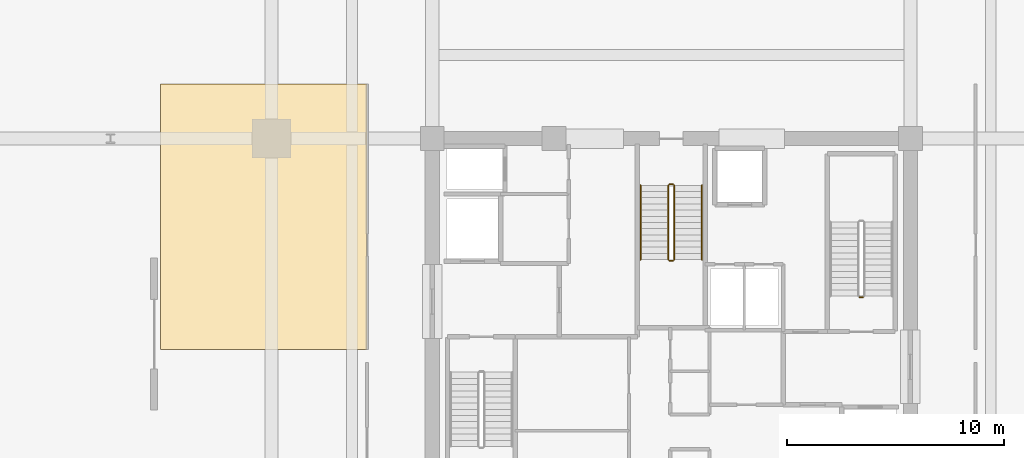
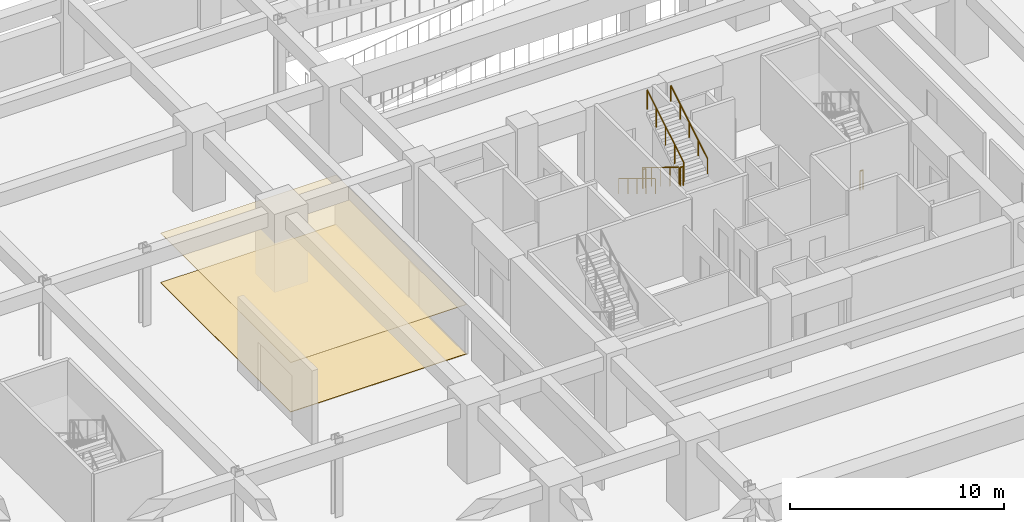
# One storey, part 13 of 16: 7 railings, 2 coverings.
"""IFC4 building model written with IfcOpenShell, lengths in metres."""

from ifc_helpers import new_model, si_unit, direction, frame, origin, origin_2d, place, context, subcontext, project, spatial, polyline, circle, outline, extrude, material, layer, layer_set, type_object, element, save


model = new_model("IFC4")

# Units and contexts
model_context = context("Model", 3, precision=1e-05, world=origin(), true_north=direction((0.0, 1.0)))
body_context = subcontext(model_context, "Body", "Model", "MODEL_VIEW")
ifc_project = project(units=[si_unit("LENGTHUNIT", "METRE"), si_unit("AREAUNIT", "SQUARE_METRE"), si_unit("VOLUMEUNIT", "CUBIC_METRE"), si_unit("PLANEANGLEUNIT", "RADIAN"), si_unit("MASSUNIT", "GRAM", prefix="KILO")], contexts=[model_context])

# Site, building, storey
site_placement = place(None, origin())
site = spatial("IfcSite", under=ifc_project, at=site_placement, CompositionType="ELEMENT")
building_placement = place(site_placement, origin())
building = spatial("IfcBuilding", under=site, at=building_placement, Name="Kovane Verandah Tower", CompositionType="ELEMENT")
storey_placement = place(building_placement, frame((0.0, 0.0, -4.5)))
storey = spatial("IfcBuildingStorey", under=building, at=storey_placement, Name="B1", CompositionType="ELEMENT", Elevation=-4.5)

# Coverings
ifc_material_1 = material(Name="Perforated Acoustic Mineral-Fibre Ceiling Tile", Category="gypsum")
ifc_layer_1 = layer(ifc_material_1, 0.02490234375)
ifc_layer_set_1 = layer_set([ifc_layer_1], Name="Perforated Acoustic Mineral-Fibre Ceiling Tile")
covering_type_1 = type_object("IfcCoveringType", Name="CV-CEIL-25", PredefinedType="CEILING", material=ifc_layer_set_1)
covering_1_placement = place(storey_placement, frame((0.0, 0.0, 2.824951171875)))
element("IfcCovering", 1, at=covering_1_placement, inside=storey, type_object=covering_type_1, Name="B1 Bicycle Parking and End-of-Trip Hub Acoustic Ceiling", PredefinedType="CEILING", context=body_context, shape_type="SweptSolid", body=[
    extrude(outline(polyline([(16.5, 26.800048828125), (26.0, 26.800048828125), (26.0, 39.0), (16.5, 39.0), (16.5, 26.800048828125)])), origin(), (0.0, 0.0, 1.0), 0.025146484375),
])
ifc_material_2 = material(Name="Polished Terrazzo and Raised-Access Carpet Tile Finish", Category="concrete")
ifc_layer_2 = layer(ifc_material_2, 0.030029296875)
ifc_layer_set_2 = layer_set([ifc_layer_2], Name="Polished Terrazzo and Raised-Access Carpet Tile Finish")
covering_type_2 = type_object("IfcCoveringType", Name="CV-FLOR-30", PredefinedType="FLOORING", material=ifc_layer_set_2)
covering_2_placement = place(storey_placement, origin())
element("IfcCovering", 2, at=covering_2_placement, inside=storey, type_object=covering_type_2, Name="B1 Bicycle Parking and End-of-Trip Hub Floor Finish", PredefinedType="FLOORING", context=body_context, shape_type="SweptSolid", body=[
    extrude(outline(polyline([(16.5, 26.800048828125), (26.0, 26.800048828125), (26.0, 39.0), (16.5, 39.0), (16.5, 26.800048828125)])), origin(), (0.0, 0.0, 1.0), 0.030029296875),
])

# Railings
ifc_material_3 = material(Name="Brushed Stainless Steel Handrail", Category="steel")
railing_type_1 = type_object("IfcRailingType", Name="RL-HAND-920", PredefinedType="HANDRAIL", material=ifc_material_3)
railing_1_placement = place(storey_placement, frame((38.590087890625, 34.35009765625, 0.173095703125)))
element("IfcRailing", 3, at=railing_1_placement, inside=storey, type_object=railing_type_1, Name="B1 ST-03 stair handrail 1", PredefinedType="HANDRAIL", context=body_context, shape_type="SweptSolid", body=[
    extrude(circle(Radius=0.02392578125, at=origin_2d()), frame((0.0, 0.0, 0.8759765625), z_axis=(0.0, -0.854745945586, 0.519046595696), x_axis=(1.0, 0.0, 0.0)), (0.0, 0.0, 1.0), 4.00146484375),
    extrude(circle(Radius=0.02099609375, at=origin_2d()), origin(), (0.0, 0.0, 1.0), 0.851806640625),
    extrude(circle(Radius=0.02099609375, at=origin_2d()), frame((0.0, -0.85498046875, 0.519287109375)), (0.0, 0.0, 1.0), 0.851806640625),
    extrude(circle(Radius=0.02099609375, at=origin_2d()), frame((0.0, -1.7099609375, 1.03857421875)), (0.0, 0.0, 1.0), 0.851806640625),
    extrude(circle(Radius=0.02099609375, at=origin_2d()), frame((0.0, -2.565185546875, 1.5576171875)), (0.0, 0.0, 1.0), 0.851806640625),
    extrude(circle(Radius=0.02099609375, at=origin_2d()), frame((0.0, -3.420166015625, 2.076904296875)), (0.0, 0.0, 1.0), 0.851806640625),
])
railing_2_placement = place(storey_placement, frame((41.409912109375, 30.929931640625, 2.423095703125)))
element("IfcRailing", 4, at=railing_2_placement, inside=storey, type_object=railing_type_1, Name="B1 ST-03 stair handrail 2", PredefinedType="HANDRAIL", context=body_context, shape_type="SweptSolid", body=[
    extrude(circle(Radius=0.02392578125, at=origin_2d()), frame((0.0, 0.0, 0.8759765625), z_axis=(0.0, 0.854745945586, 0.519046595696), x_axis=(-1.0, 0.0, 0.0)), (0.0, 0.0, 1.0), 4.00146484375),
    extrude(circle(Radius=0.02099609375, at=origin_2d()), origin(), (0.0, 0.0, 1.0), 0.851806640625),
    extrude(circle(Radius=0.02099609375, at=origin_2d()), frame((0.0, 0.85498046875, 0.519287109375)), (0.0, 0.0, 1.0), 0.851806640625),
    extrude(circle(Radius=0.02099609375, at=origin_2d()), frame((0.0, 1.7099609375, 1.03857421875)), (0.0, 0.0, 1.0), 0.851806640625),
    extrude(circle(Radius=0.02099609375, at=origin_2d()), frame((0.0, 2.565185546875, 1.5576171875)), (0.0, 0.0, 1.0), 0.851806640625),
    extrude(circle(Radius=0.02099609375, at=origin_2d()), frame((0.0, 3.420166015625, 2.076904296875)), (0.0, 0.0, 1.0), 0.851806640625),
])
ifc_material_4 = material(Name="Painted Steel Stairwell Guardrail", Category="steel")
railing_type_2 = type_object("IfcRailingType", Name="RL-STGUARD-1120", PredefinedType="GUARDRAIL", material=ifc_material_4)
railing_3_placement = place(storey_placement, frame((48.820068359375, 29.199951171875, 0.0)))
element("IfcRailing", 5, at=railing_3_placement, inside=storey, type_object=railing_type_2, Name="B1 ST-02 stair guard 4", PredefinedType="GUARDRAIL", context=body_context, shape_type="SweptSolid", body=[
    extrude(circle(Radius=0.02392578125, at=origin_2d()), frame((0.0, 0.0, 1.076171875), z_axis=(-1.0, 0.0, 0.0), x_axis=(0.0, -1.0, 0.0)), (0.0, 0.0, 1.0), 0.16015625),
    extrude(circle(Radius=0.02099609375, at=origin_2d()), origin(), (0.0, 0.0, 1.0), 1.052001953125),
    extrude(circle(Radius=0.02099609375, at=origin_2d()), frame((-0.16015625, 0.0, 0.0)), (0.0, 0.0, 1.0), 1.052001953125),
])
railing_4_placement = place(storey_placement, frame((39.8701171875, 34.35009765625, 0.173095703125)))
element("IfcRailing", 6, at=railing_4_placement, inside=storey, type_object=railing_type_2, Name="B1 ST-03 stair guard 1", PredefinedType="GUARDRAIL", context=body_context, shape_type="SweptSolid", body=[
    extrude(circle(Radius=0.02392578125, at=origin_2d()), frame((0.0, 0.0, 1.076171875), z_axis=(0.0, -0.854745945586, 0.519046595696), x_axis=(1.0, 0.0, 0.0)), (0.0, 0.0, 1.0), 4.00146484375),
    extrude(circle(Radius=0.02099609375, at=origin_2d()), origin(), (0.0, 0.0, 1.0), 1.052001953125),
    extrude(circle(Radius=0.02099609375, at=origin_2d()), frame((0.0, -0.85498046875, 0.519287109375)), (0.0, 0.0, 1.0), 1.052001953125),
    extrude(circle(Radius=0.02099609375, at=origin_2d()), frame((0.0, -1.7099609375, 1.03857421875)), (0.0, 0.0, 1.0), 1.052001953125),
    extrude(circle(Radius=0.02099609375, at=origin_2d()), frame((0.0, -2.565185546875, 1.5576171875)), (0.0, 0.0, 1.0), 1.052001953125),
    extrude(circle(Radius=0.02099609375, at=origin_2d()), frame((0.0, -3.420166015625, 2.076904296875)), (0.0, 0.0, 1.0), 1.052001953125),
])
railing_5_placement = place(storey_placement, frame((39.919921875, 30.8798828125, 2.25)))
element("IfcRailing", 7, at=railing_5_placement, inside=storey, type_object=railing_type_2, Name="B1 ST-03 stair guard 2", PredefinedType="GUARDRAIL", context=body_context, shape_type="SweptSolid", body=[
    extrude(circle(Radius=0.02392578125, at=origin_2d()), frame((0.0, 0.0, 1.076171875), z_axis=(1.0, 0.0, 0.0), x_axis=(0.0, 1.0, 0.0)), (0.0, 0.0, 1.0), 0.16015625),
    extrude(circle(Radius=0.02099609375, at=origin_2d()), origin(), (0.0, 0.0, 1.0), 1.052001953125),
    extrude(circle(Radius=0.02099609375, at=origin_2d()), frame((0.16015625, 0.0, 0.0)), (0.0, 0.0, 1.0), 1.052001953125),
])
railing_6_placement = place(storey_placement, frame((40.1298828125, 30.929931640625, 2.423095703125)))
element("IfcRailing", 8, at=railing_6_placement, inside=storey, type_object=railing_type_2, Name="B1 ST-03 stair guard 3", PredefinedType="GUARDRAIL", context=body_context, shape_type="SweptSolid", body=[
    extrude(circle(Radius=0.02392578125, at=origin_2d()), frame((0.0, 0.0, 1.076171875), z_axis=(0.0, 0.854745945586, 0.519046595696), x_axis=(-1.0, 0.0, 0.0)), (0.0, 0.0, 1.0), 4.00146484375),
    extrude(circle(Radius=0.02099609375, at=origin_2d()), origin(), (0.0, 0.0, 1.0), 1.052001953125),
    extrude(circle(Radius=0.02099609375, at=origin_2d()), frame((0.0, 0.85498046875, 0.519287109375)), (0.0, 0.0, 1.0), 1.052001953125),
    extrude(circle(Radius=0.02099609375, at=origin_2d()), frame((0.0, 1.7099609375, 1.03857421875)), (0.0, 0.0, 1.0), 1.052001953125),
    extrude(circle(Radius=0.02099609375, at=origin_2d()), frame((0.0, 2.565185546875, 1.5576171875)), (0.0, 0.0, 1.0), 1.052001953125),
    extrude(circle(Radius=0.02099609375, at=origin_2d()), frame((0.0, 3.420166015625, 2.076904296875)), (0.0, 0.0, 1.0), 1.052001953125),
])
railing_7_placement = place(storey_placement, frame((39.919921875, 34.39990234375, 0.0)))
element("IfcRailing", 9, at=railing_7_placement, inside=storey, type_object=railing_type_2, Name="B1 ST-03 stair guard 4", PredefinedType="GUARDRAIL", context=body_context, shape_type="SweptSolid", body=[
    extrude(circle(Radius=0.02392578125, at=origin_2d()), frame((0.0, 0.0, 1.076171875), z_axis=(1.0, 0.0, 0.0), x_axis=(0.0, 1.0, 0.0)), (0.0, 0.0, 1.0), 0.16015625),
    extrude(circle(Radius=0.02099609375, at=origin_2d()), origin(), (0.0, 0.0, 1.0), 1.052001953125),
    extrude(circle(Radius=0.02099609375, at=origin_2d()), frame((0.16015625, 0.0, 0.0)), (0.0, 0.0, 1.0), 1.052001953125),
])

save(model, "model.ifc")
